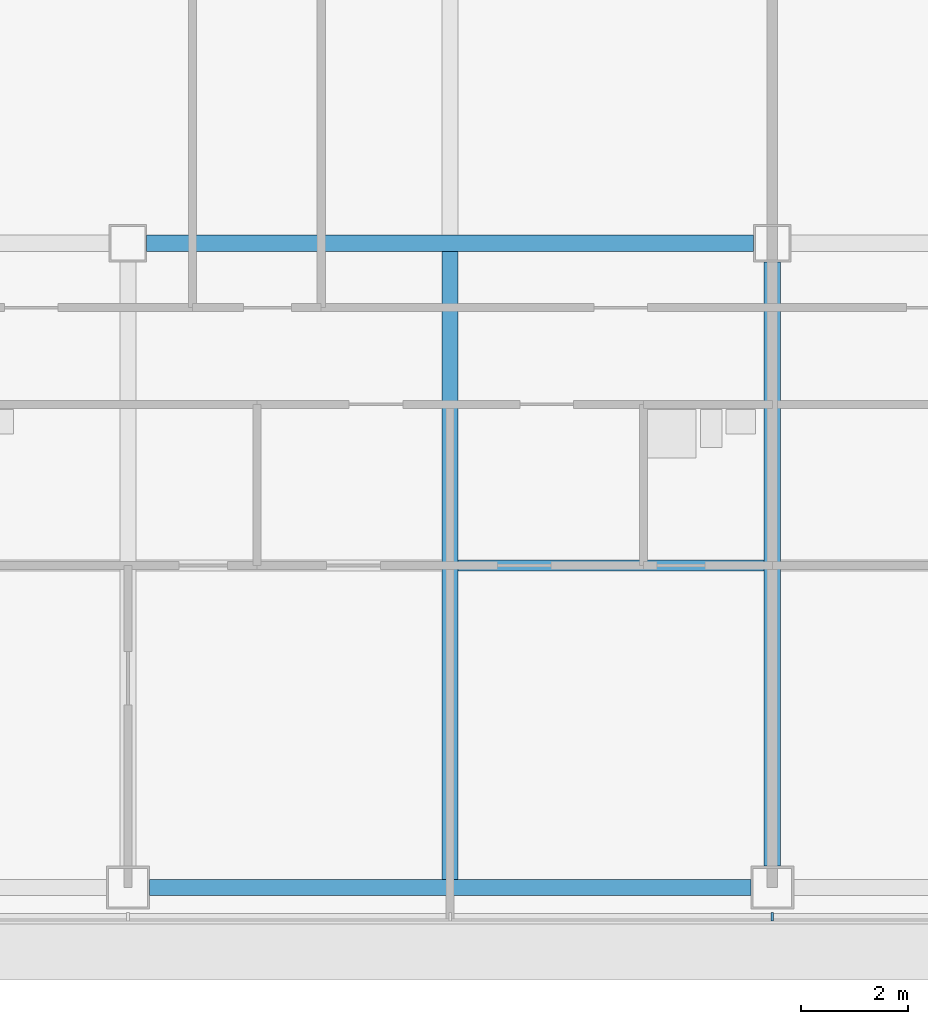
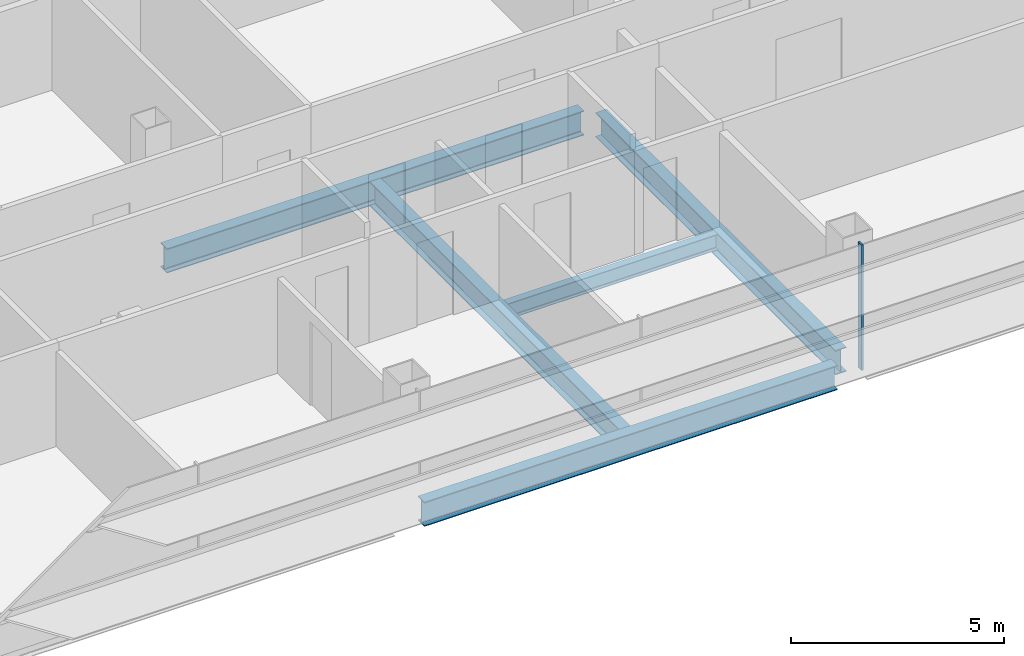
# One storey, part 3 of 25: 5 beams, 1 member, 1 element without a shape of its own.
"""IFC4 building model written with IfcOpenShell, lengths in metres."""

from ifc_helpers import new_model, si_unit, direction, frame, origin, origin_2d, place, context, subcontext, project, spatial, rectangle, i_section, extrude, material, material_profile, profile_set, type_object, element, aggregate, save


model = new_model("IFC4")

# Units and contexts
model_context = context("Model", 3, precision=1e-05, world=origin(), true_north=direction((0.0, 1.0)))
body_context = subcontext(model_context, "Body", "Model", "MODEL_VIEW")
ifc_project = project(units=[si_unit("LENGTHUNIT", "METRE"), si_unit("AREAUNIT", "SQUARE_METRE"), si_unit("VOLUMEUNIT", "CUBIC_METRE"), si_unit("PLANEANGLEUNIT", "RADIAN"), si_unit("MASSUNIT", "GRAM", prefix="KILO")], contexts=[model_context])

# Site, building, storey
site_placement = place(None, origin())
site = spatial("IfcSite", under=ifc_project, at=site_placement, CompositionType="ELEMENT")
building_placement = place(site_placement, origin())
building = spatial("IfcBuilding", under=site, at=building_placement, Name="Sorahane Residences", CompositionType="ELEMENT")
storey_placement = place(building_placement, frame((0.0, 0.0, 143.800048828125)))
storey = spatial("IfcBuildingStorey", under=building, at=storey_placement, Name="L32", CompositionType="ELEMENT", Elevation=143.800048828125)

# Curtain wall, member
ifc_material_1 = material(Name="Dark low-e glass and black anodised aluminium", Category="aluminium")
curtain_wall_type = type_object("IfcCurtainWallType", Name="Curtain wall CW-1 Typical unitised wall", PredefinedType="NOTDEFINED", material=ifc_material_1)
curtain_wall_placement = place(storey_placement, origin())
curtain_wall = element("IfcCurtainWall", 1, at=curtain_wall_placement, inside=storey, type_object=curtain_wall_type, Name="CW-1 curtain wall L32 S1", PredefinedType="NOTDEFINED")
ifc_material_2 = material(Name="Black anodised aluminium", Category="aluminium")
ifc_material_profile_1 = material_profile(ifc_material_2, rectangle(XDim=0.159912109375, YDim=0.050048828125, at=origin_2d()), Name="Curtain wall mullion CW-1 black anodised aluminium 50x160")
ifc_profile_set_1 = profile_set([ifc_material_profile_1], Name="Black anodised aluminium")
member_type = type_object("IfcMemberType", Name="Curtain wall mullion CW-1 black anodised aluminium 50x160", PredefinedType="MULLION", material=ifc_profile_set_1)
member_placement = place(storey_placement, frame((24.0, -0.5400390625, -0.179931640625), z_axis=(0.0, 0.0, 1.0), x_axis=(0.0, -1.0, 0.0)))
member = element("IfcMember", 2, at=member_placement, type_object=member_type, Name="CW-1 mullion L32 S1.5", PredefinedType="MULLION", context=body_context, shape_type="SweptSolid", body=[
    extrude(rectangle(XDim=0.159912109375, YDim=0.050048828125, at=origin_2d()), origin(), (0.0, 0.0, 1.0), 3.599853515625),
])
aggregate(curtain_wall, [member])

# Beams
ifc_material_3 = material(Name="Steel Q355B", Category="steel")
ifc_material_profile_2 = material_profile(ifc_material_3, i_section(OverallWidth=0.199951171875, OverallDepth=0.449951171875, WebThickness=0.009033203125, FlangeThickness=0.013916015625, FilletRadius=0.02001953125, at=origin_2d()), Name="HN 450x200x9x14")
ifc_profile_set_2 = profile_set([ifc_material_profile_2], Name="Steel Q355B")
beam_type_1 = type_object("IfcBeamType", Name="Steel floor beam HN 450x200x9x14 Q355B", PredefinedType="BEAM", material=ifc_profile_set_2)
beam_1_placement = place(storey_placement, frame((18.14990234375, 6.0, -0.405029296875), z_axis=(1.0, 0.0, 0.0), x_axis=(0.0, 1.0, 0.0)))
element("IfcBeam", 3, at=beam_1_placement, inside=storey, type_object=beam_type_1, Name="Beam L32 072", PredefinedType="BEAM", context=body_context, shape_type="SweptSolid", body=[
    extrude(i_section(OverallWidth=0.199951171875, OverallDepth=0.449951171875, WebThickness=0.009033203125, FlangeThickness=0.013916015625, FilletRadius=0.02001953125, at=origin_2d()), origin(), (0.0, 0.0, 1.0), 5.7001953125),
])
ifc_material_4 = material(Name="Steel Q355B", Category="steel")
ifc_material_profile_3 = material_profile(ifc_material_4, i_section(OverallWidth=0.300048828125, OverallDepth=0.699951171875, WebThickness=0.012939453125, FlangeThickness=0.02392578125, FilletRadius=0.028076171875, at=origin_2d()), Name="HN 700x300x13x24")
ifc_profile_set_3 = profile_set([ifc_material_profile_3], Name="Steel Q355B")
beam_type_2 = type_object("IfcBeamType", Name="Steel floor beam HN 700x300x13x24 Q355B", PredefinedType="BEAM", material=ifc_profile_set_3)
beam_2_placement = place(storey_placement, frame((12.39990234375, 0.0, -0.530029296875), z_axis=(1.0, 0.0, 0.0), x_axis=(0.0, 1.0, 0.0)))
element("IfcBeam", 4, at=beam_2_placement, inside=storey, type_object=beam_type_2, Name="Beam L32 001", PredefinedType="BEAM", context=body_context, shape_type="SweptSolid", body=[
    extrude(i_section(OverallWidth=0.300048828125, OverallDepth=0.699951171875, WebThickness=0.012939453125, FlangeThickness=0.02392578125, FilletRadius=0.028076171875, at=origin_2d()), origin(), (0.0, 0.0, 1.0), 11.2001953125),
])
beam_3_placement = place(storey_placement, frame((12.35009765625, 12.0, -0.530029296875), z_axis=(1.0, 0.0, 0.0), x_axis=(0.0, 1.0, 0.0)))
element("IfcBeam", 5, at=beam_3_placement, inside=storey, type_object=beam_type_2, Name="Beam L32 007", PredefinedType="BEAM", context=body_context, shape_type="SweptSolid", body=[
    extrude(i_section(OverallWidth=0.300048828125, OverallDepth=0.699951171875, WebThickness=0.012939453125, FlangeThickness=0.02392578125, FilletRadius=0.028076171875, at=origin_2d()), origin(), (0.0, 0.0, 1.0), 11.2998046875),
])
beam_4_placement = place(storey_placement, frame((18.0, 0.14990234375, -0.530029296875), z_axis=(0.0, 1.0, 0.0), x_axis=(-1.0, 0.0, 0.0)))
element("IfcBeam", 6, at=beam_4_placement, inside=storey, type_object=beam_type_2, Name="Beam L32 036", PredefinedType="BEAM", context=body_context, shape_type="SweptSolid", body=[
    extrude(i_section(OverallWidth=0.300048828125, OverallDepth=0.699951171875, WebThickness=0.012939453125, FlangeThickness=0.02392578125, FilletRadius=0.028076171875, at=origin_2d()), origin(), (0.0, 0.0, 1.0), 11.7001953125),
])
beam_5_placement = place(storey_placement, frame((24.0, 0.39990234375, -0.530029296875), z_axis=(0.0, 1.0, 0.0), x_axis=(-1.0, 0.0, 0.0)))
element("IfcBeam", 7, at=beam_5_placement, inside=storey, type_object=beam_type_2, Name="Beam L32 042", PredefinedType="BEAM", context=body_context, shape_type="SweptSolid", body=[
    extrude(i_section(OverallWidth=0.300048828125, OverallDepth=0.699951171875, WebThickness=0.012939453125, FlangeThickness=0.02392578125, FilletRadius=0.028076171875, at=origin_2d()), origin(), (0.0, 0.0, 1.0), 11.25),
])

save(model, "model.ifc")
